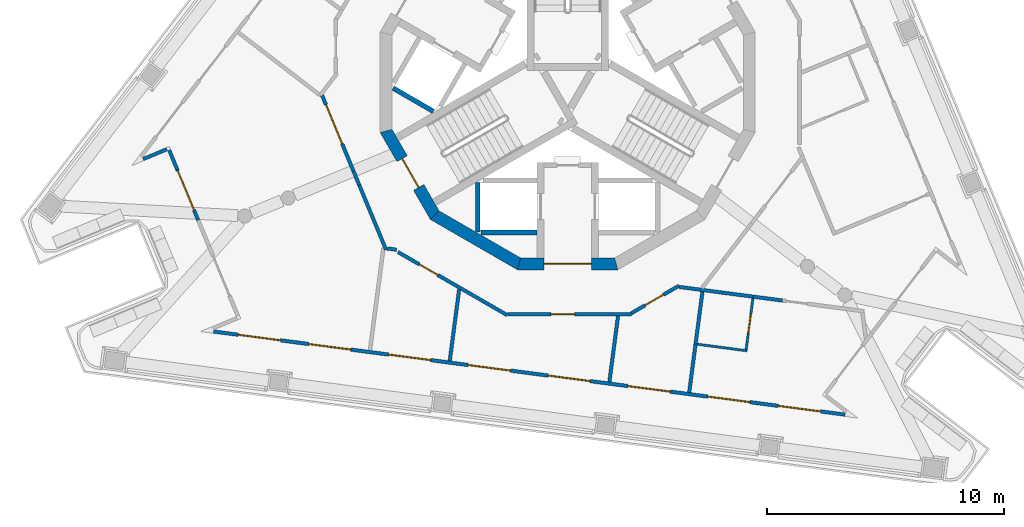
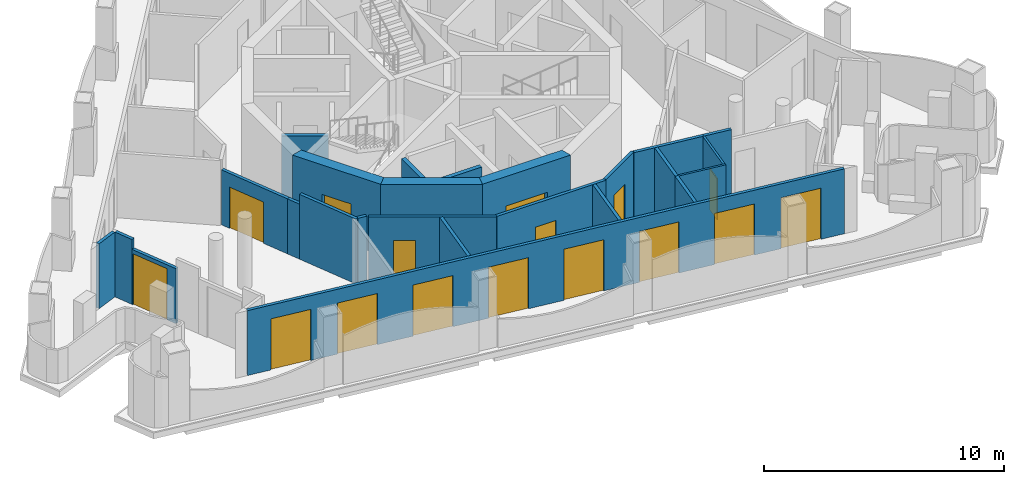
# One storey, part 2 of 12: 25 walls, 16 doors, 16 openings.
"""IFC4 building model written with IfcOpenShell, lengths in metres."""

from ifc_helpers import new_model, si_unit, direction, frame, frame_2d, origin, place, context, subcontext, project, spatial, polyline, rectangle, outline, extrude, material, layer, layer_set, type_object, element, fill, save


model = new_model("IFC4")

# Units and contexts
model_context = context("Model", 3, precision=1e-05, world=origin(), true_north=direction((0.0, 1.0)))
body_context = subcontext(model_context, "Body", "Model", "MODEL_VIEW")
ifc_project = project(units=[si_unit("LENGTHUNIT", "METRE"), si_unit("AREAUNIT", "SQUARE_METRE"), si_unit("VOLUMEUNIT", "CUBIC_METRE"), si_unit("PLANEANGLEUNIT", "RADIAN"), si_unit("MASSUNIT", "GRAM", prefix="KILO")], contexts=[model_context])

# Site, building, storey
site_placement = place(None, origin())
site = spatial("IfcSite", under=ifc_project, at=site_placement, CompositionType="ELEMENT")
building_placement = place(site_placement, origin())
building = spatial("IfcBuilding", under=site, at=building_placement, Name="Trine Commons Tower", CompositionType="ELEMENT")
storey_placement = place(building_placement, frame((0.0, 0.0, 282.60009765625)))
storey = spatial("IfcBuildingStorey", under=building, at=storey_placement, Name="L74", CompositionType="ELEMENT", Elevation=282.60009765625)

# Wall, openings, doors
ifc_material_1 = material(Name="Aluminium-framed insulated wall panel", Category="aluminium")
ifc_layer_1 = layer(ifc_material_1, 0.14990234375)
ifc_layer_set_1 = layer_set([ifc_layer_1], Name="Aluminium-framed insulated wall panel")
wall_type_1 = type_object("IfcWallType", Name="Glazed frame wall 150, EI 60", PredefinedType="SOLIDWALL", material=ifc_layer_set_1)
wall_1_placement = place(storey_placement, frame((91.869140625, 48.4384765625, 0.0), z_axis=(0.0, 0.0, 1.0), x_axis=(-0.991445282789, 0.130522991213, 0.0)))
wall_1 = element("IfcWall", 1, at=wall_1_placement, inside=storey, type_object=wall_type_1, Name="Glazed frame wall F3", PredefinedType="SOLIDWALL", context=body_context, shape_type="SweptSolid", body=[
    extrude(outline(polyline([(0.1494140625, 0.074951171875), (0.1494140625, -0.074951171875), (27.056884765625, -0.074951171875), (27.056884765625, 0.074951171875), (0.1494140625, 0.074951171875)])), origin(), (0.0, 0.0, 1.0), 3.2998046875),
])
opening_1_placement = place(wall_1_placement, frame((1.200439453125, 0.0, 0.0)))
opening_1 = element("IfcOpeningElement", 2, at=opening_1_placement, cuts=wall_1, Name="Opening BD-8F3-01", PredefinedType="OPENING", context=body_context, shape_type="SweptSolid", body=[
    extrude(rectangle(XDim=1.800048828125, YDim=2.60009765625, at=frame_2d((0.89990234375, 1.300048828125))), frame((0.0, 0.0849609375, 0.0), z_axis=(0.0, -1.0, 0.0), x_axis=(1.0, 0.0, 0.0)), (0.0, 0.0, 1.0), 0.169921875),
])
opening_2_placement = place(wall_1_placement, frame((4.201171875, 0.0, 0.0)))
opening_2 = element("IfcOpeningElement", 3, at=opening_2_placement, cuts=wall_1, Name="Opening BD-8F3-02", PredefinedType="OPENING", context=body_context, shape_type="SweptSolid", body=[
    extrude(rectangle(XDim=1.800048828125, YDim=2.60009765625, at=frame_2d((0.89990234375, 1.300048828125))), frame((0.0, 0.0849609375, 0.0), z_axis=(0.0, -1.0, 0.0), x_axis=(1.0, 0.0, 0.0)), (0.0, 0.0, 1.0), 0.169921875),
])
opening_3_placement = place(wall_1_placement, frame((7.60205078125, 0.0, 0.0)))
opening_3 = element("IfcOpeningElement", 4, at=opening_3_placement, cuts=wall_1, Name="Opening BD-8F3-03", PredefinedType="OPENING", context=body_context, shape_type="SweptSolid", body=[
    extrude(rectangle(XDim=1.800048828125, YDim=2.60009765625, at=frame_2d((0.89990234375, 1.300048828125))), frame((0.0, 0.0849609375, 0.0), z_axis=(0.0, -1.0, 0.0), x_axis=(1.0, 0.0, 0.0)), (0.0, 0.0, 1.0), 0.169921875),
])
opening_4_placement = place(wall_1_placement, frame((11.002685546875, 0.0, 0.0)))
opening_4 = element("IfcOpeningElement", 5, at=opening_4_placement, cuts=wall_1, Name="Opening BD-8F3-04", PredefinedType="OPENING", context=body_context, shape_type="SweptSolid", body=[
    extrude(rectangle(XDim=1.800048828125, YDim=2.60009765625, at=frame_2d((0.89990234375, 1.300048828125))), frame((0.0, 0.0849609375, 0.0), z_axis=(0.0, -1.0, 0.0), x_axis=(1.0, 0.0, 0.0)), (0.0, 0.0, 1.0), 0.169921875),
])
opening_5_placement = place(wall_1_placement, frame((14.403564453125, 0.0, 0.0)))
opening_5 = element("IfcOpeningElement", 6, at=opening_5_placement, cuts=wall_1, Name="Opening BD-8F3-05", PredefinedType="OPENING", context=body_context, shape_type="SweptSolid", body=[
    extrude(rectangle(XDim=1.800048828125, YDim=2.60009765625, at=frame_2d((0.89990234375, 1.300048828125))), frame((0.0, 0.0849609375, 0.0), z_axis=(0.0, -1.0, 0.0), x_axis=(1.0, 0.0, 0.0)), (0.0, 0.0, 1.0), 0.169921875),
])
opening_6_placement = place(wall_1_placement, frame((17.804443359375, 0.0, 0.0)))
opening_6 = element("IfcOpeningElement", 7, at=opening_6_placement, cuts=wall_1, Name="Opening BD-8F3-06", PredefinedType="OPENING", context=body_context, shape_type="SweptSolid", body=[
    extrude(rectangle(XDim=1.800048828125, YDim=2.60009765625, at=frame_2d((0.89990234375, 1.300048828125))), frame((0.0, 0.0849609375, 0.0), z_axis=(0.0, -1.0, 0.0), x_axis=(1.0, 0.0, 0.0)), (0.0, 0.0, 1.0), 0.169921875),
])
opening_7_placement = place(wall_1_placement, frame((21.205078125, 0.0, 0.0)))
opening_7 = element("IfcOpeningElement", 8, at=opening_7_placement, cuts=wall_1, Name="Opening BD-8F3-07", PredefinedType="OPENING", context=body_context, shape_type="SweptSolid", body=[
    extrude(rectangle(XDim=1.800048828125, YDim=2.60009765625, at=frame_2d((0.89990234375, 1.300048828125))), frame((0.0, 0.0849609375, 0.0), z_axis=(0.0, -1.0, 0.0), x_axis=(1.0, 0.0, 0.0)), (0.0, 0.0, 1.0), 0.169921875),
])
opening_8_placement = place(wall_1_placement, frame((24.2060546875, 0.0, 0.0)))
opening_8 = element("IfcOpeningElement", 9, at=opening_8_placement, cuts=wall_1, Name="Opening BD-8F3-08", PredefinedType="OPENING", context=body_context, shape_type="SweptSolid", body=[
    extrude(rectangle(XDim=1.800048828125, YDim=2.60009765625, at=frame_2d((0.89990234375, 1.300048828125))), frame((0.0, 0.0849609375, 0.0), z_axis=(0.0, -1.0, 0.0), x_axis=(1.0, 0.0, 0.0)), (0.0, 0.0, 1.0), 0.169921875),
])
ifc_material_2 = material(Name="Anodised aluminium frame with double glazing", Category="aluminium")
door_type_1 = type_object("IfcDoorType", Name="Sliding loggia door 1800x2600", OperationType="SLIDING_TO_LEFT", PredefinedType="DOOR", material=ifc_material_2)
door_1_placement = place(opening_1_placement, origin())
door_1 = element("IfcDoor", 10, at=door_1_placement, inside=storey, type_object=door_type_1, Name="Loggia door F3 1", OperationType="SLIDING_TO_LEFT", OverallHeight=2.60009765625, OverallWidth=1.800048828125, PredefinedType="DOOR", context=body_context, shape_type="SweptSolid", body=[
    extrude(rectangle(XDim=1.800048828125, YDim=2.60009765625, at=frame_2d((0.89990234375, 1.300048828125))), frame((0.0, 0.02490234375, 0.0), z_axis=(0.0, -1.0, 0.0), x_axis=(1.0, 0.0, 0.0)), (0.0, 0.0, 1.0), 0.050048828125),
])
fill(opening_1, door_1)
door_2_placement = place(opening_2_placement, origin())
door_2 = element("IfcDoor", 11, at=door_2_placement, inside=storey, type_object=door_type_1, Name="Loggia door F3 2", OperationType="SLIDING_TO_LEFT", OverallHeight=2.60009765625, OverallWidth=1.800048828125, PredefinedType="DOOR", context=body_context, shape_type="SweptSolid", body=[
    extrude(rectangle(XDim=1.800048828125, YDim=2.60009765625, at=frame_2d((0.89990234375, 1.300048828125))), frame((0.0, 0.02490234375, 0.0), z_axis=(0.0, -1.0, 0.0), x_axis=(1.0, 0.0, 0.0)), (0.0, 0.0, 1.0), 0.050048828125),
])
fill(opening_2, door_2)
door_3_placement = place(opening_3_placement, origin())
door_3 = element("IfcDoor", 12, at=door_3_placement, inside=storey, type_object=door_type_1, Name="Loggia door F3 3", OperationType="SLIDING_TO_LEFT", OverallHeight=2.60009765625, OverallWidth=1.800048828125, PredefinedType="DOOR", context=body_context, shape_type="SweptSolid", body=[
    extrude(rectangle(XDim=1.800048828125, YDim=2.60009765625, at=frame_2d((0.89990234375, 1.300048828125))), frame((0.0, 0.02490234375, 0.0), z_axis=(0.0, -1.0, 0.0), x_axis=(1.0, 0.0, 0.0)), (0.0, 0.0, 1.0), 0.050048828125),
])
fill(opening_3, door_3)
door_4_placement = place(opening_4_placement, origin())
door_4 = element("IfcDoor", 13, at=door_4_placement, inside=storey, type_object=door_type_1, Name="Loggia door F3 4", OperationType="SLIDING_TO_LEFT", OverallHeight=2.60009765625, OverallWidth=1.800048828125, PredefinedType="DOOR", context=body_context, shape_type="SweptSolid", body=[
    extrude(rectangle(XDim=1.800048828125, YDim=2.60009765625, at=frame_2d((0.89990234375, 1.300048828125))), frame((0.0, 0.02490234375, 0.0), z_axis=(0.0, -1.0, 0.0), x_axis=(1.0, 0.0, 0.0)), (0.0, 0.0, 1.0), 0.050048828125),
])
fill(opening_4, door_4)
door_5_placement = place(opening_5_placement, origin())
door_5 = element("IfcDoor", 14, at=door_5_placement, inside=storey, type_object=door_type_1, Name="Loggia door F3 5", OperationType="SLIDING_TO_LEFT", OverallHeight=2.60009765625, OverallWidth=1.800048828125, PredefinedType="DOOR", context=body_context, shape_type="SweptSolid", body=[
    extrude(rectangle(XDim=1.800048828125, YDim=2.60009765625, at=frame_2d((0.89990234375, 1.300048828125))), frame((0.0, 0.02490234375, 0.0), z_axis=(0.0, -1.0, 0.0), x_axis=(1.0, 0.0, 0.0)), (0.0, 0.0, 1.0), 0.050048828125),
])
fill(opening_5, door_5)
door_6_placement = place(opening_6_placement, origin())
door_6 = element("IfcDoor", 15, at=door_6_placement, inside=storey, type_object=door_type_1, Name="Loggia door F3 6", OperationType="SLIDING_TO_LEFT", OverallHeight=2.60009765625, OverallWidth=1.800048828125, PredefinedType="DOOR", context=body_context, shape_type="SweptSolid", body=[
    extrude(rectangle(XDim=1.800048828125, YDim=2.60009765625, at=frame_2d((0.89990234375, 1.300048828125))), frame((0.0, 0.02490234375, 0.0), z_axis=(0.0, -1.0, 0.0), x_axis=(1.0, 0.0, 0.0)), (0.0, 0.0, 1.0), 0.050048828125),
])
fill(opening_6, door_6)
door_7_placement = place(opening_7_placement, origin())
door_7 = element("IfcDoor", 16, at=door_7_placement, inside=storey, type_object=door_type_1, Name="Loggia door F3 7", OperationType="SLIDING_TO_LEFT", OverallHeight=2.60009765625, OverallWidth=1.800048828125, PredefinedType="DOOR", context=body_context, shape_type="SweptSolid", body=[
    extrude(rectangle(XDim=1.800048828125, YDim=2.60009765625, at=frame_2d((0.89990234375, 1.300048828125))), frame((0.0, 0.02490234375, 0.0), z_axis=(0.0, -1.0, 0.0), x_axis=(1.0, 0.0, 0.0)), (0.0, 0.0, 1.0), 0.050048828125),
])
fill(opening_7, door_7)
door_8_placement = place(opening_8_placement, origin())
door_8 = element("IfcDoor", 17, at=door_8_placement, inside=storey, type_object=door_type_1, Name="Loggia door F3 8", OperationType="SLIDING_TO_LEFT", OverallHeight=2.60009765625, OverallWidth=1.800048828125, PredefinedType="DOOR", context=body_context, shape_type="SweptSolid", body=[
    extrude(rectangle(XDim=1.800048828125, YDim=2.60009765625, at=frame_2d((0.89990234375, 1.300048828125))), frame((0.0, 0.02490234375, 0.0), z_axis=(0.0, -1.0, 0.0), x_axis=(1.0, 0.0, 0.0)), (0.0, 0.0, 1.0), 0.050048828125),
])
fill(opening_8, door_8)

# Wall, opening, door
wall_2_placement = place(storey_placement, frame((64.392578125, 56.673095703125, 0.0), z_axis=(0.0, 0.0, 1.0), x_axis=(-0.382693948857, 0.923875176368, 0.0)))
wall_2 = element("IfcWall", 18, at=wall_2_placement, inside=storey, type_object=wall_type_1, Name="Glazed frame wall P3.4", PredefinedType="SOLIDWALL", context=body_context, shape_type="SweptSolid", body=[
    extrude(outline(polyline([(0.0, -0.074951171875), (2.310546875, -0.074951171875), (2.310546875, 0.074951171875), (0.0, 0.074951171875), (0.0, -0.074951171875)])), origin(), (0.0, 0.0, 1.0), 2.7998046875),
])
opening_9_placement = place(wall_2_placement, frame((0.460693359375, 0.0, 0.0)))
opening_9 = element("IfcOpeningElement", 19, at=opening_9_placement, cuts=wall_2, Name="Opening BD-8P3-02", PredefinedType="OPENING", context=body_context, shape_type="SweptSolid", body=[
    extrude(rectangle(XDim=1.800048828125, YDim=2.60009765625, at=frame_2d((0.89990234375, 1.300048828125))), frame((0.0, 0.0849609375, 0.0), z_axis=(0.0, -1.0, 0.0), x_axis=(1.0, 0.0, 0.0)), (0.0, 0.0, 1.0), 0.169921875),
])
door_9_placement = place(opening_9_placement, origin())
door_9 = element("IfcDoor", 20, at=door_9_placement, inside=storey, type_object=door_type_1, Name="Loggia door P3 2", OperationType="SLIDING_TO_LEFT", OverallHeight=2.60009765625, OverallWidth=1.800048828125, PredefinedType="DOOR", context=body_context, shape_type="SweptSolid", body=[
    extrude(rectangle(XDim=1.800048828125, YDim=2.60009765625, at=frame_2d((0.89990234375, 1.300048828125))), frame((0.0, 0.02490234375, 0.0), z_axis=(0.0, -1.0, 0.0), x_axis=(1.0, 0.0, 0.0)), (0.0, 0.0, 1.0), 0.050048828125),
])
fill(opening_9, door_9)

# Walls
wall_3_placement = place(storey_placement, frame((63.50830078125, 58.807861328125, 0.0), z_axis=(0.0, 0.0, 1.0), x_axis=(-0.382603377961, 0.923912688068, 0.0)))
element("IfcWall", 21, at=wall_3_placement, inside=storey, type_object=wall_type_1, Name="Glazed frame wall P3.5", PredefinedType="SOLIDWALL", context=body_context, shape_type="SweptSolid", body=[
    extrude(outline(polyline([(0.889892578125, 0.074951171875), (0.0, 0.074951171875), (0.0, -0.074951171875), (0.889892578125, -0.074951171875), (0.889892578125, 0.074951171875)])), origin(), (0.0, 0.0, 1.0), 3.2998046875),
])
wall_4_placement = place(storey_placement, frame((63.17138671875, 59.712890625, 0.0), z_axis=(0.0, 0.0, 1.0), x_axis=(-0.923837625967, -0.382784588048, 0.0)))
element("IfcWall", 22, at=wall_4_placement, inside=storey, type_object=wall_type_1, Name="Glazed frame wall R12", PredefinedType="SOLIDWALL", context=body_context, shape_type="SweptSolid", body=[
    extrude(outline(polyline([(0.110107421875, 0.074951171875), (0.110107421875, -0.074951171875), (1.19580078125, -0.074951171875), (1.19580078125, 0.074951171875), (0.110107421875, 0.074951171875)])), origin(), (0.0, 0.0, 1.0), 3.2998046875),
])

# Wall, opening, door
ifc_material_3 = material(Name="Concrete C50/60", Category="concrete")
ifc_layer_2 = layer(ifc_material_3, 0.5)
ifc_layer_set_2 = layer_set([ifc_layer_2], Name="Concrete C50/60")
wall_type_2 = type_object("IfcWallType", Name="RC shear wall 500 mm, C50/60", PredefinedType="SHEAR", material=ifc_layer_set_2)
wall_5_placement = place(storey_placement, frame((72.2958984375, 60.502685546875, 0.0), z_axis=(0.0, 0.0, 1.0), x_axis=(0.499992968425, -0.866029463428, 0.0)))
wall_5 = element("IfcWall", 23, at=wall_5_placement, inside=storey, type_object=wall_type_2, Name="Core wall CWH-08 L74", PredefinedType="SHEAR", context=body_context, shape_type="SweptSolid", body=[
    extrude(outline(polyline([(0.0, -0.25), (4.24462890625, -0.25), (4.110595703125, 0.25), (0.134033203125, 0.25), (0.0, -0.25)])), origin(), (0.0, 0.0, 1.0), 3.599853515625),
])
opening_10_placement = place(wall_5_placement, frame((1.42236328125, 0.0, 0.0)))
opening_10 = element("IfcOpeningElement", 24, at=opening_10_placement, cuts=wall_5, Name="Opening K18.02", PredefinedType="OPENING", context=body_context, shape_type="SweptSolid", body=[
    extrude(rectangle(XDim=1.39990234375, YDim=2.10009765625, at=frame_2d((0.699951171875, 1.050048828125))), frame((0.0, 0.260009765625, 0.0), z_axis=(0.0, -1.0, 0.0), x_axis=(1.0, 0.0, 0.0)), (0.0, 0.0, 1.0), 0.52001953125),
])
ifc_material_4 = material(Name="Steel door leaves, fire-rated", Category="steel")
door_type_2 = type_object("IfcDoorType", Name="Stair door, double leaf 1400 x 2100, FD90", OperationType="DOUBLE_DOOR_SINGLE_SWING", PredefinedType="DOOR", material=ifc_material_4)
door_10_placement = place(opening_10_placement, origin())
door_10 = element("IfcDoor", 25, at=door_10_placement, inside=storey, type_object=door_type_2, Name="Stair door to Exit stair ST2D L74", OperationType="DOUBLE_DOOR_SINGLE_SWING", OverallHeight=2.10009765625, OverallWidth=1.39990234375, PredefinedType="DOOR", context=body_context, shape_type="SweptSolid", body=[
    extrude(rectangle(XDim=1.39990234375, YDim=2.10009765625, at=frame_2d((0.699951171875, 1.050048828125))), frame((0.0, 0.02490234375, 0.0), z_axis=(0.0, -1.0, 0.0), x_axis=(1.0, 0.0, 0.0)), (0.0, 0.0, 1.0), 0.050048828125),
])
fill(opening_10, door_10)

# Wall
wall_6_placement = place(storey_placement, frame((74.32666015625, 56.918212890625, 0.0), z_axis=(0.0, 0.0, 1.0), x_axis=(0.866029463428, -0.499992968425, 0.0)))
element("IfcWall", 26, at=wall_6_placement, inside=storey, type_object=wall_type_2, Name="Core wall CWH-09 L74", PredefinedType="SHEAR", context=body_context, shape_type="SweptSolid", body=[
    extrude(outline(polyline([(0.0, -0.25), (4.24462890625, -0.25), (4.110595703125, 0.25), (0.134033203125, 0.25), (0.0, -0.25)])), origin(), (0.0, 0.0, 1.0), 3.599853515625),
])

# Wall, opening, door
wall_7_placement = place(storey_placement, frame((77.877685546875, 54.829345703125, 0.0), z_axis=(0.0, 0.0, 1.0), x_axis=(1.0, 0.0, 0.0)))
wall_7 = element("IfcWall", 27, at=wall_7_placement, inside=storey, type_object=wall_type_2, Name="Core wall CWH-10 L74", PredefinedType="SHEAR", context=body_context, shape_type="SweptSolid", body=[
    extrude(outline(polyline([(0.0, -0.25), (4.24462890625, -0.25), (4.110595703125, 0.25), (0.134033203125, 0.25), (0.0, -0.25)])), origin(), (0.0, 0.0, 1.0), 3.599853515625),
])
opening_11_placement = place(wall_7_placement, frame((1.122314453125, 0.0, 0.0)))
opening_11 = element("IfcOpeningElement", 28, at=opening_11_placement, cuts=wall_7, Name="Opening K18.08", PredefinedType="OPENING", context=body_context, shape_type="SweptSolid", body=[
    extrude(rectangle(XDim=2.0, YDim=2.10009765625, at=frame_2d((1.0, 1.050048828125))), frame((0.0, 0.260009765625, 0.0), z_axis=(0.0, -1.0, 0.0), x_axis=(1.0, 0.0, 0.0)), (0.0, 0.0, 1.0), 0.52001953125),
])
door_type_3 = type_object("IfcDoorType", Name="Lobby door, double leaf 2000 x 2100, FD60", OperationType="DOUBLE_DOOR_SINGLE_SWING", PredefinedType="DOOR", material=ifc_material_4)
door_11_placement = place(opening_11_placement, origin())
door_11 = element("IfcDoor", 29, at=door_11_placement, inside=storey, type_object=door_type_3, Name="Lobby door, Service and firefighting lobby L74", OperationType="DOUBLE_DOOR_SINGLE_SWING", OverallHeight=2.10009765625, OverallWidth=2.0, PredefinedType="DOOR", context=body_context, shape_type="SweptSolid", body=[
    extrude(rectangle(XDim=2.0, YDim=2.10009765625, at=frame_2d((1.0, 1.050048828125))), frame((0.0, 0.02490234375, 0.0), z_axis=(0.0, -1.0, 0.0), x_axis=(1.0, 0.0, 0.0)), (0.0, 0.0, 1.0), 0.050048828125),
])
fill(opening_11, door_11)

# Walls
ifc_material_5 = material(Name="Fire-rated gypsum shaft wall system")
ifc_layer_3 = layer(ifc_material_5, 0.199951171875)
ifc_layer_set_3 = layer_set([ifc_layer_3], Name="Fire-rated gypsum shaft wall system")
wall_type_3 = type_object("IfcWallType", Name="Shaft wall 200 mm, EI 120", PredefinedType="PARTITIONING", material=ifc_layer_set_3)
wall_8_placement = place(storey_placement, frame((74.324951171875, 61.27294921875, 0.0), z_axis=(0.0, 0.0, 1.0), x_axis=(-0.86585547495, 0.500294209939, 0.0)))
element("IfcWall", 30, at=wall_8_placement, inside=storey, type_object=wall_type_3, Name="Shaft wall L74", PredefinedType="PARTITIONING", context=body_context, shape_type="SweptSolid", body=[
    extrude(rectangle(XDim=1.958740234375, YDim=0.199951171875, at=frame_2d((0.9794921875, 0.0))), origin(), (0.0, 0.0, 1.0), 3.2998046875),
])
wall_9_placement = place(storey_placement, frame((76.199951171875, 58.257080078125, 0.0), z_axis=(0.0, 0.0, 1.0), x_axis=(0.0, -1.0, 0.0)))
element("IfcWall", 31, at=wall_9_placement, inside=storey, type_object=wall_type_3, Name="Shaft wall L74", PredefinedType="PARTITIONING", context=body_context, shape_type="SweptSolid", body=[
    extrude(rectangle(XDim=2.073974609375, YDim=0.199951171875, at=frame_2d((1.037109375, 0.0))), origin(), (0.0, 0.0, 1.0), 3.2998046875),
])
wall_10_placement = place(storey_placement, frame((78.699951171875, 56.14990234375, 0.0), z_axis=(0.0, 0.0, 1.0), x_axis=(-1.0, 0.0, 0.0)))
element("IfcWall", 32, at=wall_10_placement, inside=storey, type_object=wall_type_3, Name="Shaft wall L74", PredefinedType="PARTITIONING", context=body_context, shape_type="SweptSolid", body=[
    extrude(rectangle(XDim=2.368896484375, YDim=0.199951171875, at=frame_2d((1.1845703125, 0.0))), origin(), (0.0, 0.0, 1.0), 3.2998046875),
])

# Wall, opening, door
ifc_material_6 = material(Name="Gypsum plasterboard on steel stud", Category="steel")
ifc_layer_4 = layer(ifc_material_6, 0.14990234375)
ifc_layer_set_4 = layer_set([ifc_layer_4], Name="Gypsum plasterboard on steel stud")
wall_type_4 = type_object("IfcWallType", Name="Unit and corridor wall 150 mm, EI 60", PredefinedType="PARTITIONING", material=ifc_layer_set_4)
wall_11_placement = place(storey_placement, frame((69.626708984375, 61.94580078125, 0.0), z_axis=(0.0, 0.0, 1.0), x_axis=(0.382659407135, -0.923889483721, 0.0)))
wall_11 = element("IfcWall", 33, at=wall_11_placement, inside=storey, type_object=wall_type_4, Name="Partition 004", PredefinedType="PARTITIONING", context=body_context, shape_type="SweptSolid", body=[
    extrude(rectangle(XDim=3.4580078125, YDim=0.14990234375, at=frame_2d((1.72900390625, 0.0))), origin(), (0.0, 0.0, 1.0), 2.7998046875),
])
opening_12_placement = place(wall_11_placement, frame((0.421630859375, 0.0, 0.0)))
opening_12 = element("IfcOpeningElement", 34, at=opening_12_placement, cuts=wall_11, Name="Opening D-8B03", PredefinedType="OPENING", context=body_context, shape_type="SweptSolid", body=[
    extrude(rectangle(XDim=1.800048828125, YDim=2.10009765625, at=frame_2d((0.89990234375, 1.050048828125))), frame((0.0, 0.0849609375, 0.0), z_axis=(0.0, -1.0, 0.0), x_axis=(1.0, 0.0, 0.0)), (0.0, 0.0, 1.0), 0.169921875),
])
ifc_material_7 = material(Name="Timber fire door set", Category="wood")
door_type_4 = type_object("IfcDoorType", Name="Cluster entrance door 1800 x 2100, double leaf, FD30S", OperationType="DOUBLE_DOOR_DOUBLE_SWING", PredefinedType="DOOR", material=ifc_material_7)
door_12_placement = place(opening_12_placement, frame((1.800048828125, 0.0, 0.0), z_axis=(0.0, 0.0, 1.0), x_axis=(-1.0, 0.0, 0.0)))
door_12 = element("IfcDoor", 35, at=door_12_placement, inside=storey, type_object=door_type_4, Name="Door D-8B03", OperationType="DOUBLE_DOOR_DOUBLE_SWING", OverallHeight=2.10009765625, OverallWidth=1.800048828125, PredefinedType="DOOR", context=body_context, shape_type="SweptSolid", body=[
    extrude(rectangle(XDim=1.800048828125, YDim=2.10009765625, at=frame_2d((0.89990234375, 1.050048828125))), frame((0.0, 0.02490234375, 0.0), z_axis=(0.0, -1.0, 0.0), x_axis=(1.0, 0.0, 0.0)), (0.0, 0.0, 1.0), 0.050048828125),
])
fill(opening_12, door_12)

# Walls
wall_12_placement = place(storey_placement, frame((70.949951171875, 58.7509765625, 0.0), z_axis=(0.0, 0.0, 1.0), x_axis=(0.383291989612, -0.923627224967, 0.0)))
element("IfcWall", 36, at=wall_12_placement, inside=storey, type_object=wall_type_4, Name="Partition 008", PredefinedType="PARTITIONING", context=body_context, shape_type="SweptSolid", body=[
    extrude(rectangle(XDim=0.64208984375, YDim=0.14990234375, at=frame_2d((0.321044921875, 0.0))), origin(), (0.0, 0.0, 1.0), 2.7998046875),
])
wall_13_placement = place(storey_placement, frame((71.196044921875, 58.157958984375, 0.0), z_axis=(0.0, 0.0, 1.0), x_axis=(0.382720248055, -0.923864282094, 0.0)))
element("IfcWall", 37, at=wall_13_placement, inside=storey, type_object=wall_type_4, Name="Partition 009", PredefinedType="PARTITIONING", context=body_context, shape_type="SweptSolid", body=[
    extrude(rectangle(XDim=2.965087890625, YDim=0.14990234375, at=frame_2d((1.482421875, 0.0))), origin(), (0.0, 0.0, 1.0), 3.2998046875),
])
wall_14_placement = place(storey_placement, frame((72.37646484375, 55.478271484375, 0.0), z_axis=(0.0, 0.0, 1.0), x_axis=(0.991429342672, -0.130644014367, 0.0)))
element("IfcWall", 38, at=wall_14_placement, inside=storey, type_object=wall_type_4, Name="Partition 012", PredefinedType="PARTITIONING", context=body_context, shape_type="SweptSolid", body=[
    extrude(rectangle(XDim=0.39990234375, YDim=0.14990234375, at=frame_2d((0.199951171875, 0.0))), origin(), (0.0, 0.0, 1.0), 3.2998046875),
])

# Wall, opening, door
wall_15_placement = place(storey_placement, frame((72.8291015625, 55.3291015625, 0.0), z_axis=(0.0, 0.0, 1.0), x_axis=(0.865982457891, -0.500074377092, 0.0)))
wall_15 = element("IfcWall", 39, at=wall_15_placement, inside=storey, type_object=wall_type_4, Name="Partition 013", PredefinedType="PARTITIONING", context=body_context, shape_type="SweptSolid", body=[
    extrude(rectangle(XDim=5.324462890625, YDim=0.14990234375, at=frame_2d((2.662109375, 0.0))), origin(), (0.0, 0.0, 1.0), 3.2998046875),
])
opening_13_placement = place(wall_15_placement, frame((1.05029296875, 0.0, 0.0)))
opening_13 = element("IfcOpeningElement", 40, at=opening_13_placement, cuts=wall_15, Name="Opening D-8B15", PredefinedType="OPENING", context=body_context, shape_type="SweptSolid", body=[
    extrude(rectangle(XDim=0.89990234375, YDim=2.10009765625, at=frame_2d((0.449951171875, 1.050048828125))), frame((0.0, 0.0849609375, 0.0), z_axis=(0.0, -1.0, 0.0), x_axis=(1.0, 0.0, 0.0)), (0.0, 0.0, 1.0), 0.169921875),
])
door_type_5 = type_object("IfcDoorType", Name="Service door 900 x 2100, FD30S", OperationType="NOTDEFINED", PredefinedType="DOOR", material=ifc_material_7)
door_13_placement = place(opening_13_placement, frame((0.89990234375, 0.0, 0.0), z_axis=(0.0, 0.0, 1.0), x_axis=(-1.0, 0.0, 0.0)))
door_13 = element("IfcDoor", 41, at=door_13_placement, inside=storey, type_object=door_type_5, Name="Door D-8B15", OperationType="SINGLE_SWING_RIGHT", OverallHeight=2.10009765625, OverallWidth=0.89990234375, PredefinedType="DOOR", context=body_context, shape_type="SweptSolid", body=[
    extrude(rectangle(XDim=0.89990234375, YDim=2.10009765625, at=frame_2d((0.449951171875, 1.050048828125))), frame((0.0, 0.02490234375, 0.0), z_axis=(0.0, -1.0, 0.0), x_axis=(1.0, 0.0, 0.0)), (0.0, 0.0, 1.0), 0.050048828125),
])
fill(opening_13, door_13)

# Wall
wall_16_placement = place(storey_placement, frame((75.020263671875, 50.732666015625, 0.0), z_axis=(0.0, 0.0, 1.0), x_axis=(0.130558109067, 0.991440658918, 0.0)))
element("IfcWall", 42, at=wall_16_placement, inside=storey, type_object=wall_type_4, Name="Partition 016", PredefinedType="PARTITIONING", context=body_context, shape_type="SweptSolid", body=[
    extrude(rectangle(XDim=3.048095703125, YDim=0.14990234375, at=frame_2d((1.52392578125, 0.0))), origin(), (0.0, 0.0, 1.0), 3.2998046875),
])

# Wall, opening, door
wall_17_placement = place(storey_placement, frame((77.449951171875, 52.7041015625, 0.0), z_axis=(0.0, 0.0, 1.0), x_axis=(1.0, 0.0, 0.0)))
wall_17 = element("IfcWall", 43, at=wall_17_placement, inside=storey, type_object=wall_type_4, Name="Partition 019", PredefinedType="PARTITIONING", context=body_context, shape_type="SweptSolid", body=[
    extrude(rectangle(XDim=5.25, YDim=0.14990234375, at=frame_2d((2.625, 0.0))), origin(), (0.0, 0.0, 1.0), 3.2998046875),
])
opening_14_placement = place(wall_17_placement, frame((1.844970703125, 0.0, 0.0)))
opening_14 = element("IfcOpeningElement", 44, at=opening_14_placement, cuts=wall_17, Name="Opening D-8B14", PredefinedType="OPENING", context=body_context, shape_type="SweptSolid", body=[
    extrude(rectangle(XDim=1.0, YDim=2.10009765625, at=frame_2d((0.5, 1.050048828125))), frame((0.0, 0.0849609375, 0.0), z_axis=(0.0, -1.0, 0.0), x_axis=(1.0, 0.0, 0.0)), (0.0, 0.0, 1.0), 0.169921875),
])
ifc_material_8 = material(Name="Painted timber", Category="wood")
door_type_6 = type_object("IfcDoorType", Name="Amenity room door 1000 x 2100, NOT RATED", OperationType="NOTDEFINED", PredefinedType="DOOR", material=ifc_material_8)
door_14_placement = place(opening_14_placement, frame((1.0, 0.0, 0.0), z_axis=(0.0, 0.0, 1.0), x_axis=(-1.0, 0.0, 0.0)))
door_14 = element("IfcDoor", 45, at=door_14_placement, inside=storey, type_object=door_type_6, Name="Door D-8B14", OperationType="SINGLE_SWING_RIGHT", OverallHeight=2.10009765625, OverallWidth=1.0, PredefinedType="DOOR", context=body_context, shape_type="SweptSolid", body=[
    extrude(rectangle(XDim=1.0, YDim=2.10009765625, at=frame_2d((0.5, 1.050048828125))), frame((0.0, 0.02490234375, 0.0), z_axis=(0.0, -1.0, 0.0), x_axis=(1.0, 0.0, 0.0)), (0.0, 0.0, 1.0), 0.050048828125),
])
fill(opening_14, door_14)

# Wall
wall_18_placement = place(storey_placement, frame((81.76416015625, 49.8447265625, 0.0), z_axis=(0.0, 0.0, 1.0), x_axis=(0.130290377986, 0.991475878377, 0.0)))
element("IfcWall", 46, at=wall_18_placement, inside=storey, type_object=wall_type_4, Name="Partition 024", PredefinedType="PARTITIONING", context=body_context, shape_type="SweptSolid", body=[
    extrude(rectangle(XDim=2.808837890625, YDim=0.14990234375, at=frame_2d((1.404296875, 0.0))), origin(), (0.0, 0.0, 1.0), 3.2998046875),
])

# Wall, opening, door
wall_19_placement = place(storey_placement, frame((82.68994140625, 52.741455078125, 0.0), z_axis=(0.0, 0.0, 1.0), x_axis=(0.865980532278, 0.500077711676, 0.0)))
wall_19 = element("IfcWall", 47, at=wall_19_placement, inside=storey, type_object=wall_type_4, Name="Partition 025", PredefinedType="PARTITIONING", context=body_context, shape_type="SweptSolid", body=[
    extrude(rectangle(XDim=2.320068359375, YDim=0.14990234375, at=frame_2d((1.16015625, 0.0))), origin(), (0.0, 0.0, 1.0), 3.2998046875),
])
opening_15_placement = place(wall_19_placement, frame((0.672607421875, 0.0, 0.0)))
opening_15 = element("IfcOpeningElement", 48, at=opening_15_placement, cuts=wall_19, Name="Opening D-8B13", PredefinedType="OPENING", context=body_context, shape_type="SweptSolid", body=[
    extrude(rectangle(XDim=0.89990234375, YDim=2.10009765625, at=frame_2d((0.449951171875, 1.050048828125))), frame((0.0, 0.0849609375, 0.0), z_axis=(0.0, -1.0, 0.0), x_axis=(1.0, 0.0, 0.0)), (0.0, 0.0, 1.0), 0.169921875),
])
door_15_placement = place(opening_15_placement, frame((0.89990234375, 0.0, 0.0), z_axis=(0.0, 0.0, 1.0), x_axis=(-1.0, 0.0, 0.0)))
door_15 = element("IfcDoor", 49, at=door_15_placement, inside=storey, type_object=door_type_5, Name="Door D-8B13", OperationType="SINGLE_SWING_RIGHT", OverallHeight=2.10009765625, OverallWidth=0.89990234375, PredefinedType="DOOR", context=body_context, shape_type="SweptSolid", body=[
    extrude(rectangle(XDim=0.89990234375, YDim=2.10009765625, at=frame_2d((0.449951171875, 1.050048828125))), frame((0.0, 0.02490234375, 0.0), z_axis=(0.0, -1.0, 0.0), x_axis=(1.0, 0.0, 0.0)), (0.0, 0.0, 1.0), 0.050048828125),
])
fill(opening_15, door_15)

# Walls
wall_20_placement = place(storey_placement, frame((84.70849609375, 53.854248046875, 0.0), z_axis=(0.0, 0.0, 1.0), x_axis=(0.991449115066, -0.130493878153, 0.0)))
element("IfcWall", 50, at=wall_20_placement, inside=storey, type_object=wall_type_4, Name="Partition 028", PredefinedType="PARTITIONING", context=body_context, shape_type="SweptSolid", body=[
    extrude(rectangle(XDim=3.20849609375, YDim=0.14990234375, at=frame_2d((1.604248046875, 0.0))), origin(), (0.0, 0.0, 1.0), 3.2998046875),
])
wall_21_placement = place(storey_placement, frame((85.13525390625, 49.400634765625, 0.0), z_axis=(0.0, 0.0, 1.0), x_axis=(0.130479037317, 0.991451068294, 0.0)))
element("IfcWall", 51, at=wall_21_placement, inside=storey, type_object=wall_type_4, Name="Partition 029", PredefinedType="PARTITIONING", context=body_context, shape_type="SweptSolid", body=[
    extrude(rectangle(XDim=2.06005859375, YDim=0.14990234375, at=frame_2d((1.030029296875, 0.0))), origin(), (0.0, 0.0, 1.0), 3.2998046875),
])
wall_22_placement = place(storey_placement, frame((85.404052734375, 51.443115234375, 0.0), z_axis=(0.0, 0.0, 1.0), x_axis=(0.130920053601, 0.991392928946, 0.0)))
element("IfcWall", 52, at=wall_22_placement, inside=storey, type_object=wall_type_4, Name="Partition 032", PredefinedType="PARTITIONING", context=body_context, shape_type="SweptSolid", body=[
    extrude(rectangle(XDim=2.224609375, YDim=0.14990234375, at=frame_2d((1.1123046875, 0.0))), origin(), (0.0, 0.0, 1.0), 3.2998046875),
])
wall_23_placement = place(storey_placement, frame((87.83203125, 53.443115234375, 0.0), z_axis=(0.0, 0.0, 1.0), x_axis=(0.991413847303, -0.130761551597, 0.0)))
element("IfcWall", 53, at=wall_23_placement, inside=storey, type_object=wall_type_4, Name="Partition 040", PredefinedType="PARTITIONING", context=body_context, shape_type="SweptSolid", body=[
    extrude(rectangle(XDim=1.254638671875, YDim=0.14990234375, at=frame_2d((0.62744140625, 0.0))), origin(), (0.0, 0.0, 1.0), 3.2998046875),
])
ifc_layer_5 = layer(ifc_material_6, 0.10009765625)
ifc_layer_set_5 = layer_set([ifc_layer_5], Name="Gypsum plasterboard on steel stud")
wall_type_5 = type_object("IfcWallType", Name="Unit partition 100 mm, no rating", PredefinedType="PARTITIONING", material=ifc_layer_set_5)
wall_24_placement = place(storey_placement, frame((85.478515625, 51.43310546875, 0.0), z_axis=(0.0, 0.0, 1.0), x_axis=(0.991434344141, -0.130606053677, 0.0)))
element("IfcWall", 54, at=wall_24_placement, inside=storey, type_object=wall_type_5, Name="Partition 033", PredefinedType="PARTITIONING", context=body_context, shape_type="SweptSolid", body=[
    extrude(rectangle(XDim=2.12548828125, YDim=0.10009765625, at=frame_2d((1.062744140625, 0.0))), origin(), (0.0, 0.0, 1.0), 3.2998046875),
])

# Wall, opening, door
wall_25_placement = place(storey_placement, frame((87.54248046875, 51.211669921875, 0.0), z_axis=(0.0, 0.0, 1.0), x_axis=(0.13039935739, 0.991461551242, 0.0)))
wall_25 = element("IfcWall", 55, at=wall_25_placement, inside=storey, type_object=wall_type_5, Name="Partition 038", PredefinedType="PARTITIONING", context=body_context, shape_type="SweptSolid", body=[
    extrude(rectangle(XDim=2.175537109375, YDim=0.10009765625, at=frame_2d((1.087890625, 0.0))), origin(), (0.0, 0.0, 1.0), 3.2998046875),
])
opening_16_placement = place(wall_25_placement, frame((0.687744140625, 0.0, 0.0)))
opening_16 = element("IfcOpeningElement", 56, at=opening_16_placement, cuts=wall_25, Name="Opening D-8B19", PredefinedType="OPENING", context=body_context, shape_type="SweptSolid", body=[
    extrude(rectangle(XDim=0.800048828125, YDim=2.10009765625, at=frame_2d((0.39990234375, 1.050048828125))), frame((0.0, 0.06005859375, 0.0), z_axis=(0.0, -1.0, 0.0), x_axis=(1.0, 0.0, 0.0)), (0.0, 0.0, 1.0), 0.1201171875),
])
door_type_7 = type_object("IfcDoorType", Name="Internal door 800 x 2100, NOT RATED", OperationType="NOTDEFINED", PredefinedType="DOOR", material=ifc_material_8)
door_16_placement = place(opening_16_placement, frame((0.800048828125, 0.0, 0.0), z_axis=(0.0, 0.0, 1.0), x_axis=(-1.0, 0.0, 0.0)))
door_16 = element("IfcDoor", 57, at=door_16_placement, inside=storey, type_object=door_type_7, Name="Door D-8B19", OperationType="SINGLE_SWING_RIGHT", OverallHeight=2.10009765625, OverallWidth=0.800048828125, PredefinedType="DOOR", context=body_context, shape_type="SweptSolid", body=[
    extrude(rectangle(XDim=0.800048828125, YDim=2.10009765625, at=frame_2d((0.39990234375, 1.050048828125))), frame((0.0, 0.02490234375, 0.0), z_axis=(0.0, -1.0, 0.0), x_axis=(1.0, 0.0, 0.0)), (0.0, 0.0, 1.0), 0.050048828125),
])
fill(opening_16, door_16)

save(model, "model.ifc")
